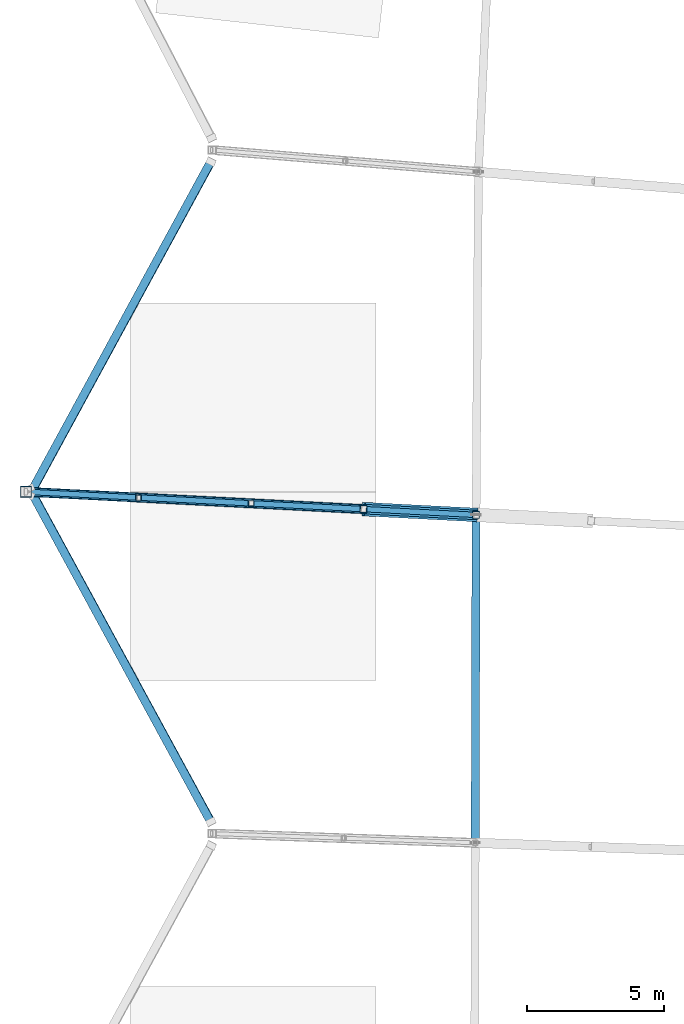
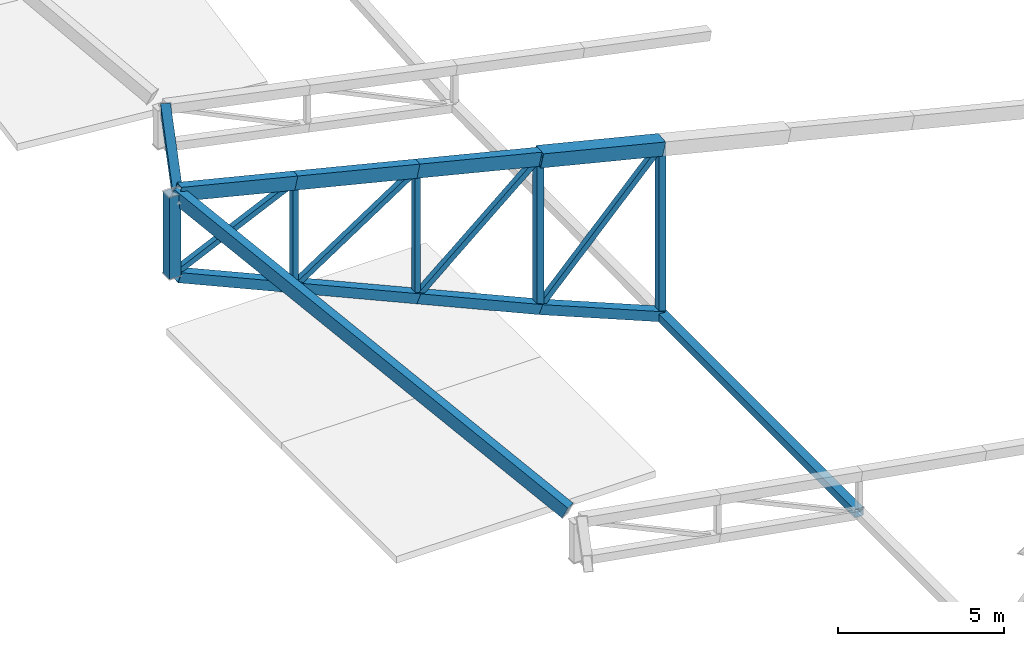
# One storey, part 61 of 188: 18 members, 2 beams.
"""IFC4 building model written with IfcOpenShell, lengths in metres."""

from ifc_helpers import new_model, si_unit, direction, frame, origin, origin_2d, place, context, subcontext, project, spatial, hollow_rectangle, extrude, material, material_profile, profile_set, type_object, element, save


model = new_model("IFC4")

# Units and contexts
model_context = context("Model", 3, precision=1e-05, world=origin(), true_north=direction((0.0, 1.0)))
body_context = subcontext(model_context, "Body", "Model", "MODEL_VIEW")
ifc_project = project(units=[si_unit("LENGTHUNIT", "METRE"), si_unit("AREAUNIT", "SQUARE_METRE"), si_unit("VOLUMEUNIT", "CUBIC_METRE"), si_unit("PLANEANGLEUNIT", "RADIAN"), si_unit("MASSUNIT", "GRAM", prefix="KILO")], contexts=[model_context])

# Site, building, storey
site_placement = place(None, origin())
site = spatial("IfcSite", under=ifc_project, at=site_placement, CompositionType="ELEMENT")
building_placement = place(site_placement, origin())
building = spatial("IfcBuilding", under=site, at=building_placement, Name="Meseta Stadium", CompositionType="ELEMENT")
storey_placement = place(building_placement, frame((0.0, 0.0, 30.0)))
storey = spatial("IfcBuildingStorey", under=building, at=storey_placement, Name="ROOF", CompositionType="ELEMENT", Elevation=30.0)

# Beams
ifc_material_1 = material(Name="Steel S355", Category="steel")
ifc_material_profile_1 = material_profile(ifc_material_1, hollow_rectangle(XDim=0.300048828125, YDim=0.5, WallThickness=0.01611328125, at=origin_2d()), Name="RHS 500x300x16")
ifc_profile_set_1 = profile_set([ifc_material_profile_1], Name="Steel S355")
beam_type = type_object("IfcBeamType", Name="RHS 500x300x16 rim ring beam", PredefinedType="BEAM", material=ifc_profile_set_1)
for number, where, z_axis, x_axis, name in (
    (1, (-94.63720703125, 43.31884765625, 3.78759765625), (-0.43116895441, -0.792582276806, 0.43116895441), (0.886397935948, -0.461331068889, 0.038371135313), "RIM RING BEAM 30"),
    (2, (-101.26220703125, 31.355712890625, 10.410400390625), (0.43116895441, -0.792582276806, -0.43116895441), (0.885878256077, 0.462548846834, 0.035612914826), "RIM RING BEAM 31"),
):
    element("IfcBeam", number, at=place(storey_placement, frame(where, z_axis=z_axis, x_axis=x_axis)), inside=storey, type_object=beam_type, Name=name, PredefinedType="BEAM", context=body_context, shape_type="SweptSolid", body=[
        extrude(hollow_rectangle(XDim=0.300048828125, YDim=0.5, WallThickness=0.01611328125, at=origin_2d()), origin(), (0.0, 0.0, 1.0), 15.361328125),
    ])

# Members
ifc_material_2 = material(Name="Steel S355", Category="steel")
ifc_material_profile_2 = material_profile(ifc_material_2, hollow_rectangle(XDim=0.300048828125, YDim=0.5, WallThickness=0.01611328125, at=origin_2d()), Name="RHS 500x300x16")
ifc_profile_set_2 = profile_set([ifc_material_profile_2], Name="Steel S355")
member_type_1 = type_object("IfcMemberType", Name="RHS 500x300x16 top chord", PredefinedType="CHORD", material=ifc_profile_set_2)
member_1_placement = place(storey_placement, frame((-89.055419921875, 30.615478515625, 7.876953125), z_axis=(-0.976910444099, 0.050193084817, 0.207669541454), x_axis=(-0.051311729794, -0.998682685534, 0.0)))
element("IfcMember", 3, at=member_1_placement, inside=storey, type_object=member_type_1, Name="ROOF TRUSS RT-30 top chord", PredefinedType="CHORD", context=body_context, shape_type="SweptSolid", body=[
    extrude(hollow_rectangle(XDim=0.300048828125, YDim=0.5, WallThickness=0.01611328125, at=origin_2d()), origin(), (0.0, 0.0, 1.0), 4.212158203125),
])
member_2_placement = place(storey_placement, frame((-93.17041015625, 30.826904296875, 8.751708984375), z_axis=(-0.976916712613, 0.050254348513, 0.207625232264), x_axis=(-0.051373864887, -0.998679491131, 0.0)))
element("IfcMember", 4, at=member_2_placement, inside=storey, type_object=member_type_1, Name="ROOF TRUSS RT-30 top chord", PredefinedType="CHORD", context=body_context, shape_type="SweptSolid", body=[
    extrude(hollow_rectangle(XDim=0.300048828125, YDim=0.5, WallThickness=0.01611328125, at=origin_2d()), origin(), (0.0, 0.0, 1.0), 4.2119140625),
])
member_3_placement = place(storey_placement, frame((-97.28515625, 31.03857421875, 9.626220703125), z_axis=(-0.976918932841, 0.050202947527, 0.207627220559), x_axis=(-0.051321340982, -0.99868219167, 0.0)))
element("IfcMember", 5, at=member_3_placement, inside=storey, type_object=member_type_1, Name="ROOF TRUSS RT-30 top chord", PredefinedType="CHORD", context=body_context, shape_type="SweptSolid", body=[
    extrude(hollow_rectangle(XDim=0.300048828125, YDim=0.5, WallThickness=0.01611328125, at=origin_2d()), origin(), (0.0, 0.0, 1.0), 4.011962890625),
])
ifc_material_3 = material(Name="Steel S355", Category="steel")
ifc_material_profile_3 = material_profile(ifc_material_3, hollow_rectangle(XDim=0.199951171875, YDim=0.199951171875, WallThickness=0.008056640625, at=origin_2d()), Name="SHS 200x200x8")
ifc_profile_set_3 = profile_set([ifc_material_profile_3], Name="Steel S355")
member_type_2 = type_object("IfcMemberType", Name="SHS 200x200x8 diagonal", PredefinedType="BRACE", material=ifc_profile_set_3)
member_4_placement = place(storey_placement, frame((-84.940673828125, 30.404052734375, 7.00244140625), z_axis=(-0.664265361711, 0.034131589133, -0.746717191348), x_axis=(-0.051314766261, -0.998682529518, 0.0)))
element("IfcMember", 6, at=member_4_placement, inside=storey, type_object=member_type_2, Name="ROOF TRUSS RT-30 diagonal", PredefinedType="BRACE", context=body_context, shape_type="SweptSolid", body=[
    extrude(hollow_rectangle(XDim=0.199951171875, YDim=0.199951171875, WallThickness=0.008056640625, at=origin_2d()), origin(), (0.0, 0.0, 1.0), 6.1943359375),
])
member_5_placement = place(storey_placement, frame((-89.055419921875, 30.615478515625, 7.876953125), z_axis=(-0.734854246167, 0.037756379542, -0.677173310677), x_axis=(-0.051311729794, -0.998682685534, 0.0)))
element("IfcMember", 7, at=member_5_placement, inside=storey, type_object=member_type_2, Name="ROOF TRUSS RT-30 diagonal", PredefinedType="BRACE", context=body_context, shape_type="SweptSolid", body=[
    extrude(hollow_rectangle(XDim=0.199951171875, YDim=0.199951171875, WallThickness=0.008056640625, at=origin_2d()), origin(), (0.0, 0.0, 1.0), 5.599853515625),
])
member_6_placement = place(storey_placement, frame((-93.17041015625, 30.826904296875, 8.751708984375), z_axis=(-0.81118973269, 0.041729055313, -0.583292296812), x_axis=(-0.051373864887, -0.998679491131, 0.0)))
element("IfcMember", 8, at=member_6_placement, inside=storey, type_object=member_type_2, Name="ROOF TRUSS RT-30 diagonal", PredefinedType="BRACE", context=body_context, shape_type="SweptSolid", body=[
    extrude(hollow_rectangle(XDim=0.199951171875, YDim=0.199951171875, WallThickness=0.008056640625, at=origin_2d()), origin(), (0.0, 0.0, 1.0), 5.072509765625),
])
member_7_placement = place(storey_placement, frame((-97.28515625, 31.03857421875, 9.626220703125), z_axis=(-0.88756380778, 0.04560521286, -0.458421914485), x_axis=(-0.051314766261, -0.998682529518, 0.0)))
element("IfcMember", 9, at=member_7_placement, inside=storey, type_object=member_type_2, Name="ROOF TRUSS RT-30 diagonal", PredefinedType="BRACE", context=body_context, shape_type="SweptSolid", body=[
    extrude(hollow_rectangle(XDim=0.199951171875, YDim=0.199951171875, WallThickness=0.008056640625, at=origin_2d()), origin(), (0.0, 0.0, 1.0), 4.635986328125),
])
ifc_material_4 = material(Name="Steel S355", Category="steel")
ifc_material_profile_4 = material_profile(ifc_material_4, hollow_rectangle(XDim=0.199951171875, YDim=0.199951171875, WallThickness=0.008056640625, at=origin_2d()), Name="SHS 200x200x8")
ifc_profile_set_4 = profile_set([ifc_material_profile_4], Name="Steel S355")
member_type_3 = type_object("IfcMemberType", Name="SHS 200x200x8 post", PredefinedType="POST", material=ifc_profile_set_4)
member_8_placement = place(storey_placement, frame((-93.17041015625, 30.826904296875, 4.0849609375), z_axis=(0.0, 0.0, 1.0), x_axis=(1.0, 0.0, 0.0)))
element("IfcMember", 10, at=member_8_placement, inside=storey, type_object=member_type_3, Name="ROOF TRUSS RT-30 post", PredefinedType="POST", context=body_context, shape_type="SweptSolid", body=[
    extrude(hollow_rectangle(XDim=0.199951171875, YDim=0.199951171875, WallThickness=0.008056640625, at=origin_2d()), origin(), (0.0, 0.0, 1.0), 4.666748046875),
])
member_9_placement = place(storey_placement, frame((-97.28515625, 31.03857421875, 5.79296875), z_axis=(0.0, 0.0, 1.0), x_axis=(1.0, 0.0, 0.0)))
element("IfcMember", 11, at=member_9_placement, inside=storey, type_object=member_type_3, Name="ROOF TRUSS RT-30 post", PredefinedType="POST", context=body_context, shape_type="SweptSolid", body=[
    extrude(hollow_rectangle(XDim=0.199951171875, YDim=0.199951171875, WallThickness=0.008056640625, at=origin_2d()), origin(), (0.0, 0.0, 1.0), 3.833251953125),
])
ifc_material_5 = material(Name="Steel S355", Category="steel")
ifc_material_profile_5 = material_profile(ifc_material_5, hollow_rectangle(XDim=0.25, YDim=0.25, WallThickness=0.010009765625, at=origin_2d()), Name="SHS 250x250x10")
ifc_profile_set_5 = profile_set([ifc_material_profile_5], Name="Steel S355")
member_type_4 = type_object("IfcMemberType", Name="SHS 250x250x10 post", PredefinedType="POST", material=ifc_profile_set_5)
member_10_placement = place(storey_placement, frame((-84.940673828125, 30.404052734375, 0.800048828125), z_axis=(0.0, 0.0, 1.0), x_axis=(1.0, 0.0, 0.0)))
element("IfcMember", 12, at=member_10_placement, inside=storey, type_object=member_type_4, Name="ROOF TRUSS RT-30 post", PredefinedType="POST", context=body_context, shape_type="SweptSolid", body=[
    extrude(hollow_rectangle(XDim=0.25, YDim=0.25, WallThickness=0.010009765625, at=origin_2d()), origin(), (0.0, 0.0, 1.0), 6.202392578125),
])
member_11_placement = place(storey_placement, frame((-89.055419921875, 30.615478515625, 2.376953125), z_axis=(0.0, 0.0, 1.0), x_axis=(1.0, 0.0, 0.0)))
element("IfcMember", 13, at=member_11_placement, inside=storey, type_object=member_type_4, Name="ROOF TRUSS RT-30 post", PredefinedType="POST", context=body_context, shape_type="SweptSolid", body=[
    extrude(hollow_rectangle(XDim=0.25, YDim=0.25, WallThickness=0.010009765625, at=origin_2d()), origin(), (0.0, 0.0, 1.0), 5.5),
])
ifc_material_6 = material(Name="Steel S355", Category="steel")
ifc_material_profile_6 = material_profile(ifc_material_6, hollow_rectangle(XDim=0.300048828125, YDim=0.300048828125, WallThickness=0.010009765625, at=origin_2d()), Name="SHS 300x300x10")
ifc_profile_set_6 = profile_set([ifc_material_profile_6], Name="Steel S355")
member_type_5 = type_object("IfcMemberType", Name="SHS 300x300x10 pivot strut", PredefinedType="STRUT", material=ifc_profile_set_6)
member_12_placement = place(storey_placement, frame((-84.940673828125, 30.404052734375, 0.800048828125), z_axis=(-0.002707369213, -0.999996335069, 0.0), x_axis=(0.999996335069, -0.002707369213, 0.0)))
element("IfcMember", 14, at=member_12_placement, inside=storey, type_object=member_type_5, Name="ROOF PIVOT STRUT RT-30/31", PredefinedType="STRUT", context=body_context, shape_type="SweptSolid", body=[
    extrude(hollow_rectangle(XDim=0.300048828125, YDim=0.300048828125, WallThickness=0.010009765625, at=origin_2d()), origin(), (0.0, 0.0, 1.0), 11.993408203125),
])
ifc_material_7 = material(Name="Steel S355", Category="steel")
ifc_material_profile_7 = material_profile(ifc_material_7, hollow_rectangle(XDim=0.35009765625, YDim=0.35009765625, WallThickness=0.010009765625, at=origin_2d()), Name="SHS 350x350x10")
ifc_profile_set_7 = profile_set([ifc_material_profile_7], Name="Steel S355")
member_type_6 = type_object("IfcMemberType", Name="SHS 350x350x10 bottom chord", PredefinedType="CHORD", material=ifc_profile_set_7)
member_13_placement = place(storey_placement, frame((-84.940673828125, 30.404052734375, 0.800048828125), z_axis=(-0.932704638854, 0.047924659858, 0.357442699796), x_axis=(-0.051314766261, -0.998682529518, 0.0)))
element("IfcMember", 15, at=member_13_placement, inside=storey, type_object=member_type_6, Name="ROOF TRUSS RT-30 bottom chord", PredefinedType="CHORD", context=body_context, shape_type="SweptSolid", body=[
    extrude(hollow_rectangle(XDim=0.35009765625, YDim=0.35009765625, WallThickness=0.010009765625, at=origin_2d()), origin(), (0.0, 0.0, 1.0), 4.41162109375),
])
member_14_placement = place(storey_placement, frame((-89.055419921875, 30.615478515625, 2.376953125), z_axis=(-0.92256155096, 0.04740067061, 0.382927357491), x_axis=(-0.051311729794, -0.998682685534, 0.0)))
element("IfcMember", 16, at=member_14_placement, inside=storey, type_object=member_type_6, Name="ROOF TRUSS RT-30 bottom chord", PredefinedType="CHORD", context=body_context, shape_type="SweptSolid", body=[
    extrude(hollow_rectangle(XDim=0.35009765625, YDim=0.35009765625, WallThickness=0.010009765625, at=origin_2d()), origin(), (0.0, 0.0, 1.0), 4.46044921875),
])
member_15_placement = place(storey_placement, frame((-93.17041015625, 30.826904296875, 4.0849609375), z_axis=(-0.922551006194, 0.04745767903, 0.382945700684), x_axis=(-0.051373864887, -0.998679491131, 0.0)))
element("IfcMember", 17, at=member_15_placement, inside=storey, type_object=member_type_6, Name="ROOF TRUSS RT-30 bottom chord", PredefinedType="CHORD", context=body_context, shape_type="SweptSolid", body=[
    extrude(hollow_rectangle(XDim=0.35009765625, YDim=0.35009765625, WallThickness=0.010009765625, at=origin_2d()), origin(), (0.0, 0.0, 1.0), 4.460205078125),
])
member_16_placement = place(storey_placement, frame((-97.28515625, 31.03857421875, 5.79296875), z_axis=(-0.922566141387, 0.047391900051, 0.382917383486), x_axis=(-0.051302005967, -0.998683185091, 0.0)))
element("IfcMember", 18, at=member_16_placement, inside=storey, type_object=member_type_6, Name="ROOF TRUSS RT-30 bottom chord", PredefinedType="CHORD", context=body_context, shape_type="SweptSolid", body=[
    extrude(hollow_rectangle(XDim=0.35009765625, YDim=0.35009765625, WallThickness=0.010009765625, at=origin_2d()), origin(), (0.0, 0.0, 1.0), 4.26025390625),
])
ifc_material_8 = material(Name="Steel S355", Category="steel")
ifc_material_profile_8 = material_profile(ifc_material_8, hollow_rectangle(XDim=0.39990234375, YDim=0.39990234375, WallThickness=0.01416015625, at=origin_2d()), Name="SHS 400x400x14.2")
ifc_profile_set_8 = profile_set([ifc_material_profile_8], Name="Steel S355")
member_type_7 = type_object("IfcMemberType", Name="SHS 400x400x14.2 rim post", PredefinedType="POST", material=ifc_profile_set_8)
member_17_placement = place(storey_placement, frame((-101.39990234375, 31.25, 7.5009765625), z_axis=(0.0, 0.0, 1.0), x_axis=(1.0, 0.0, 0.0)))
element("IfcMember", 19, at=member_17_placement, inside=storey, type_object=member_type_7, Name="ROOF TRUSS RT-30 post", PredefinedType="POST", context=body_context, shape_type="SweptSolid", body=[
    extrude(hollow_rectangle(XDim=0.39990234375, YDim=0.39990234375, WallThickness=0.01416015625, at=origin_2d()), origin(), (0.0, 0.0, 1.0), 3.0),
])
ifc_material_9 = material(Name="Steel S355", Category="steel")
ifc_material_profile_9 = material_profile(ifc_material_9, hollow_rectangle(XDim=0.5, YDim=0.5, WallThickness=0.01611328125, at=origin_2d()), Name="SHS 500x500x16")
ifc_profile_set_9 = profile_set([ifc_material_profile_9], Name="Steel S355")
member_type_8 = type_object("IfcMemberType", Name="SHS 500x500x16 top chord", PredefinedType="CHORD", material=ifc_profile_set_9)
member_18_placement = place(storey_placement, frame((-84.940673828125, 30.404052734375, 7.00244140625), z_axis=(-0.976919556662, 0.050196531154, 0.207625836713), x_axis=(-0.051314766261, -0.998682529518, 0.0)))
element("IfcMember", 20, at=member_18_placement, inside=storey, type_object=member_type_8, Name="ROOF TRUSS RT-30 top chord", PredefinedType="CHORD", context=body_context, shape_type="SweptSolid", body=[
    extrude(hollow_rectangle(XDim=0.5, YDim=0.5, WallThickness=0.01611328125, at=origin_2d()), origin(), (0.0, 0.0, 1.0), 4.2119140625),
])

save(model, "model.ifc")
